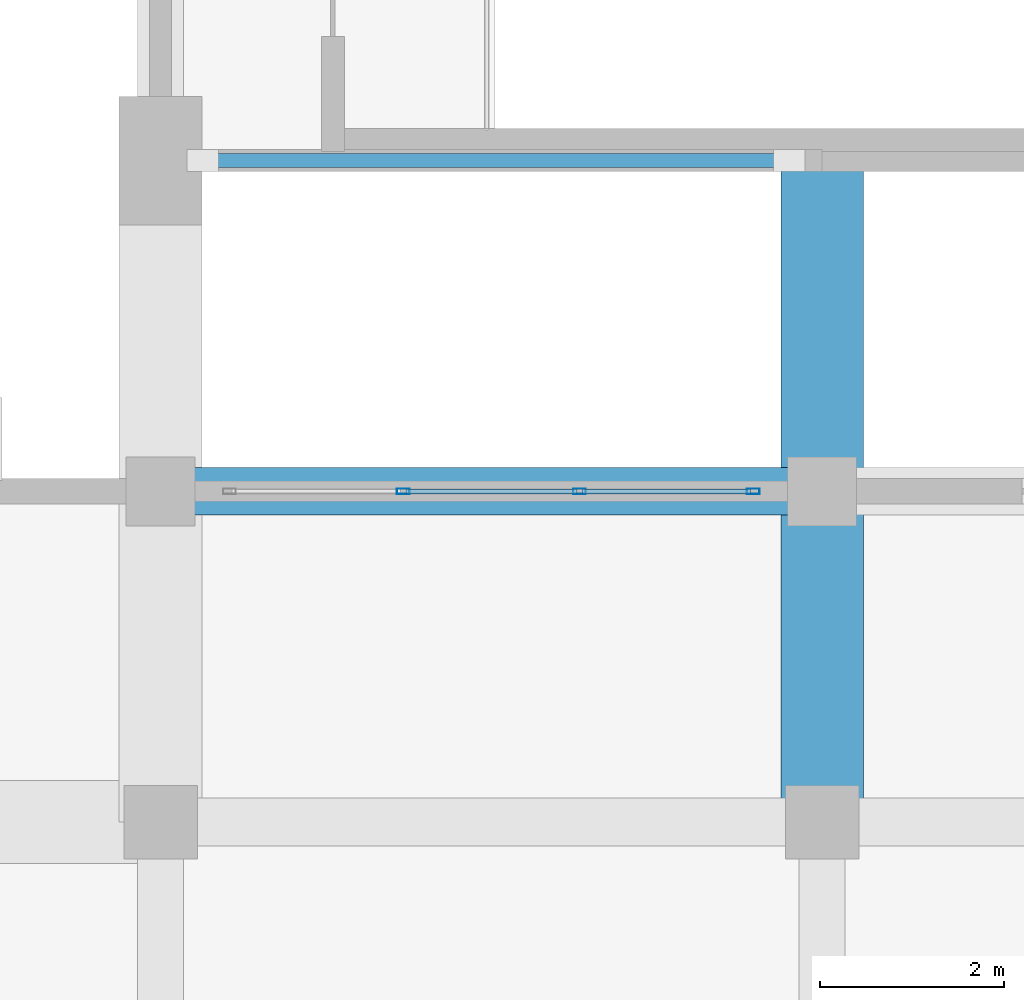
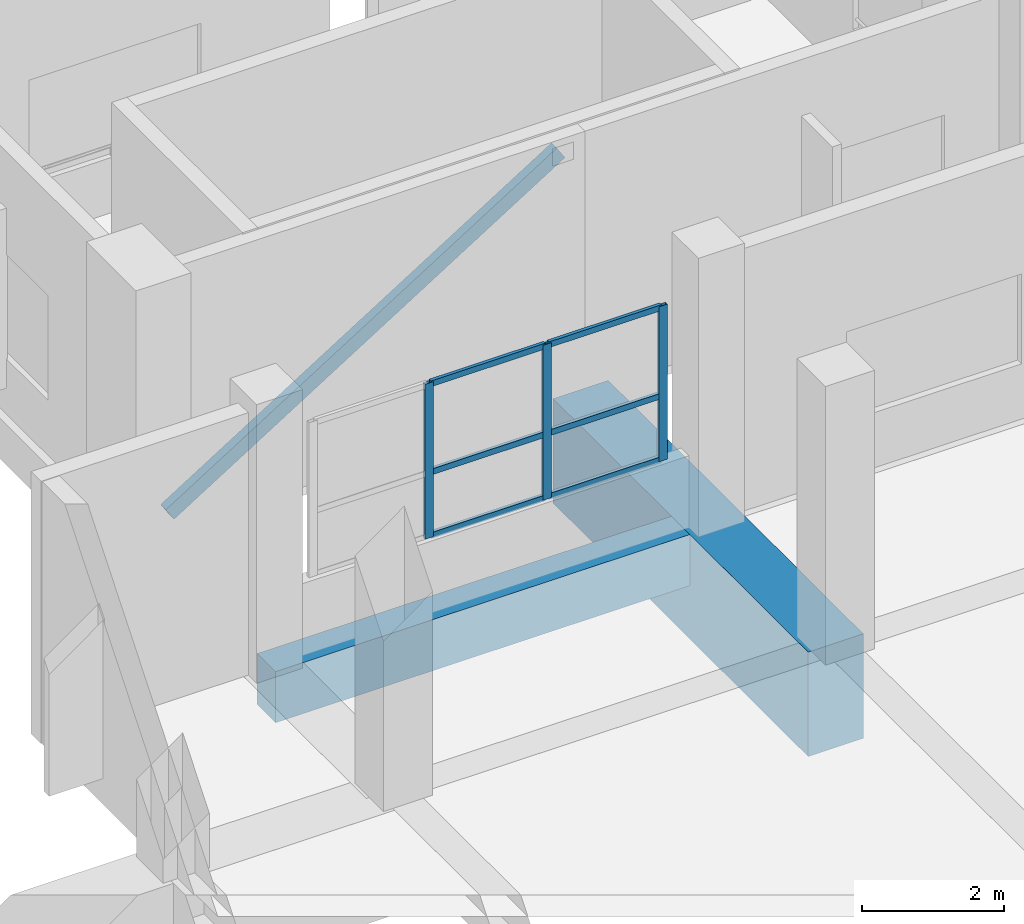
# One storey, part 57 of 140: 10 members, 2 beams, 1 element without a shape of its own.
"""IFC4 building model written with IfcOpenShell, lengths in metres."""

from ifc_helpers import new_model, si_unit, direction, frame, origin, origin_2d, place, context, subcontext, project, spatial, rectangle, hollow_rectangle, extrude, material, layer, layer_set, material_profile, profile_set, type_object, element, aggregate, save


model = new_model("IFC4")

# Units and contexts
model_context = context("Model", 3, precision=1e-05, world=origin(), true_north=direction((0.0, 1.0)))
body_context = subcontext(model_context, "Body", "Model", "MODEL_VIEW")
ifc_project = project(units=[si_unit("LENGTHUNIT", "METRE"), si_unit("AREAUNIT", "SQUARE_METRE"), si_unit("VOLUMEUNIT", "CUBIC_METRE"), si_unit("PLANEANGLEUNIT", "RADIAN"), si_unit("MASSUNIT", "GRAM", prefix="KILO")], contexts=[model_context])

# Site, building, storey
site_placement = place(None, origin())
site = spatial("IfcSite", under=ifc_project, at=site_placement, CompositionType="ELEMENT")
building_placement = place(site_placement, origin())
building = spatial("IfcBuilding", under=site, at=building_placement, Name="Seraya Terrace Polytechnic", CompositionType="ELEMENT")
storey_placement = place(building_placement, frame((0.0, 0.0, 9.60009765625)))
storey = spatial("IfcBuildingStorey", under=building, at=storey_placement, Name="L02", CompositionType="ELEMENT", Elevation=9.60009765625)

# Beam
ifc_material_1 = material(Name="Concrete C40/50", Category="concrete")
ifc_material_profile_1 = material_profile(ifc_material_1, rectangle(XDim=0.52001953125, YDim=0.8798828125, at=origin_2d()), Name="RC 520x880")
ifc_profile_set_1 = profile_set([ifc_material_profile_1], Name="Concrete C40/50")
beam_type_1 = type_object("IfcBeamType", Name="BM-04", PredefinedType="BEAM", material=ifc_profile_set_1)
beam_1_placement = place(storey_placement, frame((14.39990234375, 75.60009765625, -0.440185546875), z_axis=(1.0, 0.0, 0.0), x_axis=(0.0, 1.0, 0.0)))
element("IfcBeam", 1, at=beam_1_placement, inside=storey, type_object=beam_type_1, Name="Beam BM-04 L02 X (14.4..21.6, 75.6)", PredefinedType="BEAM", context=body_context, shape_type="SweptSolid", body=[
    extrude(rectangle(XDim=0.52001953125, YDim=0.8798828125, at=origin_2d()), origin(), (0.0, 0.0, 1.0), 7.2001953125),
])

# Member
ifc_material_2 = material(Name="Steel S355J2", Category="steel")
ifc_material_profile_2 = material_profile(ifc_material_2, hollow_rectangle(XDim=0.14990234375, YDim=0.25, WallThickness=0.010009765625, at=origin_2d()), Name="RHS 250x150x10.0")
ifc_profile_set_2 = profile_set([ifc_material_profile_2], Name="Steel S355J2")
member_type_1 = type_object("IfcMemberType", Name="BR-05", PredefinedType="BRACE", material=ifc_profile_set_2)
member_1_placement = place(storey_placement, frame((14.864990234375, 79.199951171875, 0.25), z_axis=(0.846880470544, 0.0, 0.531783291024), x_axis=(0.0, 1.0, 0.0)))
element("IfcMember", 2, at=member_1_placement, inside=storey, type_object=member_type_1, Name="Solid-bay vertical wind brace L02 SW", PredefinedType="BRACE", context=body_context, shape_type="SweptSolid", body=[
    extrude(hollow_rectangle(XDim=0.14990234375, YDim=0.25, WallThickness=0.010009765625, at=origin_2d()), origin(), (0.0, 0.0, 1.0), 7.52197265625),
])

# Curtain wall, members
ifc_material_3 = material(Name="Anodised aluminium EN AW-6063 T6", Category="aluminium")
ifc_layer = layer(ifc_material_3, 0.179931640625, Name="CW-21")
ifc_layer_set = layer_set([ifc_layer], Name="Anodised aluminium EN AW-6063 T6")
curtain_wall_type = type_object("IfcCurtainWallType", Name="CW-21", PredefinedType="NOTDEFINED", material=ifc_layer_set)
curtain_wall_placement = place(storey_placement, origin())
curtain_wall = element("IfcCurtainWall", 3, at=curtain_wall_placement, inside=storey, type_object=curtain_wall_type, Name="Unitised curtain wall CW-21 (CW-L02-057)", PredefinedType="NOTDEFINED")
ifc_material_profile_3 = material_profile(ifc_material_3, hollow_rectangle(XDim=0.06005859375, YDim=0.139892578125, WallThickness=0.00341796875, at=origin_2d()), Name="RHS 140x60x3.5")
ifc_profile_set_3 = profile_set([ifc_material_profile_3], Name="Anodised aluminium EN AW-6063 T6")
member_type_2 = type_object("IfcMemberType", Name="CWM-03", PredefinedType="MULLION", material=ifc_profile_set_3)
member_2_placement = place(storey_placement, frame((17.0400390625, 75.60009765625, 1.239990234375), z_axis=(0.0, 0.0, 1.0), x_axis=(0.0, 1.0, 0.0)))
member_2 = element("IfcMember", 4, at=member_2_placement, type_object=member_type_2, Name="CW-21 mullion 2", PredefinedType="MULLION", context=body_context, shape_type="SweptSolid", body=[
    extrude(hollow_rectangle(XDim=0.06005859375, YDim=0.139892578125, WallThickness=0.00341796875, at=origin_2d()), origin(), (0.0, 0.0, 1.0), 2.669921875),
])
member_3_placement = place(storey_placement, frame((18.9599609375, 75.60009765625, 1.239990234375), z_axis=(0.0, 0.0, 1.0), x_axis=(0.0, 1.0, 0.0)))
member_3 = element("IfcMember", 5, at=member_3_placement, type_object=member_type_2, Name="CW-21 mullion 3", PredefinedType="MULLION", context=body_context, shape_type="SweptSolid", body=[
    extrude(hollow_rectangle(XDim=0.06005859375, YDim=0.139892578125, WallThickness=0.00341796875, at=origin_2d()), origin(), (0.0, 0.0, 1.0), 2.669921875),
])
member_4_placement = place(storey_placement, frame((20.85009765625, 75.60009765625, 1.239990234375), z_axis=(0.0, 0.0, 1.0), x_axis=(0.0, 1.0, 0.0)))
member_4 = element("IfcMember", 6, at=member_4_placement, type_object=member_type_2, Name="CW-21 mullion 4", PredefinedType="MULLION", context=body_context, shape_type="SweptSolid", body=[
    extrude(hollow_rectangle(XDim=0.06005859375, YDim=0.139892578125, WallThickness=0.00341796875, at=origin_2d()), origin(), (0.0, 0.0, 1.0), 2.669921875),
])
ifc_material_profile_4 = material_profile(ifc_material_3, hollow_rectangle(XDim=0.054931640625, YDim=0.10009765625, WallThickness=0.0029296875, at=origin_2d()), Name="RHS 100x55x3.0")
ifc_profile_set_4 = profile_set([ifc_material_profile_4], Name="Anodised aluminium EN AW-6063 T6")
member_type_3 = type_object("IfcMemberType", Name="CWT-03", PredefinedType="USERDEFINED", material=ifc_profile_set_4)
member_5_placement = place(storey_placement, frame((17.070068359375, 75.60009765625, 1.267333984375), z_axis=(1.0, 0.0, 0.0), x_axis=(0.0, 1.0, 0.0)))
member_5 = element("IfcMember", 7, at=member_5_placement, type_object=member_type_3, Name="CW-21 transom 2.1", ObjectType="TRANSOM", PredefinedType="USERDEFINED", context=body_context, shape_type="SweptSolid", body=[
    extrude(hollow_rectangle(XDim=0.054931640625, YDim=0.10009765625, WallThickness=0.0029296875, at=origin_2d()), origin(), (0.0, 0.0, 1.0), 1.85986328125),
])
member_6_placement = place(storey_placement, frame((17.070068359375, 75.60009765625, 2.361328125), z_axis=(1.0, 0.0, 0.0), x_axis=(0.0, 1.0, 0.0)))
member_6 = element("IfcMember", 8, at=member_6_placement, type_object=member_type_3, Name="CW-21 transom 2.2", ObjectType="TRANSOM", PredefinedType="USERDEFINED", context=body_context, shape_type="SweptSolid", body=[
    extrude(hollow_rectangle(XDim=0.054931640625, YDim=0.10009765625, WallThickness=0.0029296875, at=origin_2d()), origin(), (0.0, 0.0, 1.0), 1.85986328125),
])
member_7_placement = place(storey_placement, frame((17.070068359375, 75.60009765625, 3.88232421875), z_axis=(1.0, 0.0, 0.0), x_axis=(0.0, 1.0, 0.0)))
member_7 = element("IfcMember", 9, at=member_7_placement, type_object=member_type_3, Name="CW-21 transom 2.3", ObjectType="TRANSOM", PredefinedType="USERDEFINED", context=body_context, shape_type="SweptSolid", body=[
    extrude(hollow_rectangle(XDim=0.054931640625, YDim=0.10009765625, WallThickness=0.0029296875, at=origin_2d()), origin(), (0.0, 0.0, 1.0), 1.85986328125),
])
member_8_placement = place(storey_placement, frame((18.989990234375, 75.60009765625, 1.267333984375), z_axis=(1.0, 0.0, 0.0), x_axis=(0.0, 1.0, 0.0)))
member_8 = element("IfcMember", 10, at=member_8_placement, type_object=member_type_3, Name="CW-21 transom 3.1", ObjectType="TRANSOM", PredefinedType="USERDEFINED", context=body_context, shape_type="SweptSolid", body=[
    extrude(hollow_rectangle(XDim=0.054931640625, YDim=0.10009765625, WallThickness=0.0029296875, at=origin_2d()), origin(), (0.0, 0.0, 1.0), 1.830078125),
])
member_9_placement = place(storey_placement, frame((18.989990234375, 75.60009765625, 2.361328125), z_axis=(1.0, 0.0, 0.0), x_axis=(0.0, 1.0, 0.0)))
member_9 = element("IfcMember", 11, at=member_9_placement, type_object=member_type_3, Name="CW-21 transom 3.2", ObjectType="TRANSOM", PredefinedType="USERDEFINED", context=body_context, shape_type="SweptSolid", body=[
    extrude(hollow_rectangle(XDim=0.054931640625, YDim=0.10009765625, WallThickness=0.0029296875, at=origin_2d()), origin(), (0.0, 0.0, 1.0), 1.830078125),
])
member_10_placement = place(storey_placement, frame((18.989990234375, 75.60009765625, 3.88232421875), z_axis=(1.0, 0.0, 0.0), x_axis=(0.0, 1.0, 0.0)))
member_10 = element("IfcMember", 12, at=member_10_placement, type_object=member_type_3, Name="CW-21 transom 3.3", ObjectType="TRANSOM", PredefinedType="USERDEFINED", context=body_context, shape_type="SweptSolid", body=[
    extrude(hollow_rectangle(XDim=0.054931640625, YDim=0.10009765625, WallThickness=0.0029296875, at=origin_2d()), origin(), (0.0, 0.0, 1.0), 1.830078125),
])
aggregate(curtain_wall, [member_2, member_3, member_4, member_5, member_6, member_7, member_8, member_9, member_10])

# Beam
ifc_material_profile_5 = material_profile(ifc_material_1, rectangle(XDim=0.89990234375, YDim=1.800048828125, at=origin_2d()), Name="RC 900x1800")
ifc_profile_set_5 = profile_set([ifc_material_profile_5], Name="Concrete C40/50")
beam_type_2 = type_object("IfcBeamType", Name="TG-01", PredefinedType="USERDEFINED", material=ifc_profile_set_5)
beam_2_placement = place(storey_placement, frame((21.60009765625, 72.0, -0.900146484375), z_axis=(0.0, 1.0, 0.0), x_axis=(-1.0, 0.0, 0.0)))
element("IfcBeam", 13, at=beam_2_placement, inside=storey, type_object=beam_type_2, Name="Transfer girder TG-01 L02 #9", ObjectType="GIRDER", PredefinedType="USERDEFINED", context=body_context, shape_type="SweptSolid", body=[
    extrude(rectangle(XDim=0.89990234375, YDim=1.800048828125, at=origin_2d()), origin(), (0.0, 0.0, 1.0), 7.199951171875),
])

save(model, "model.ifc")
